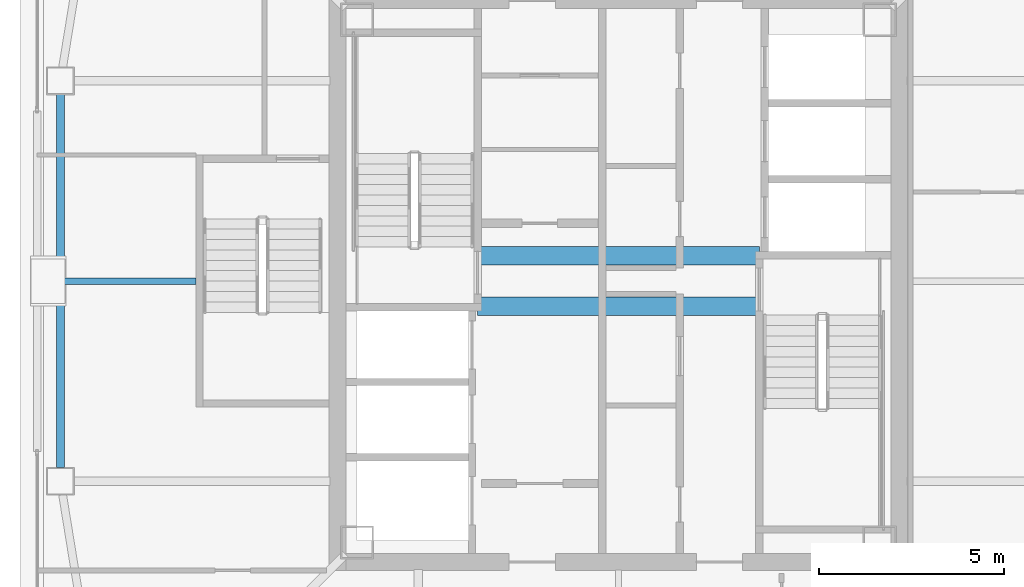
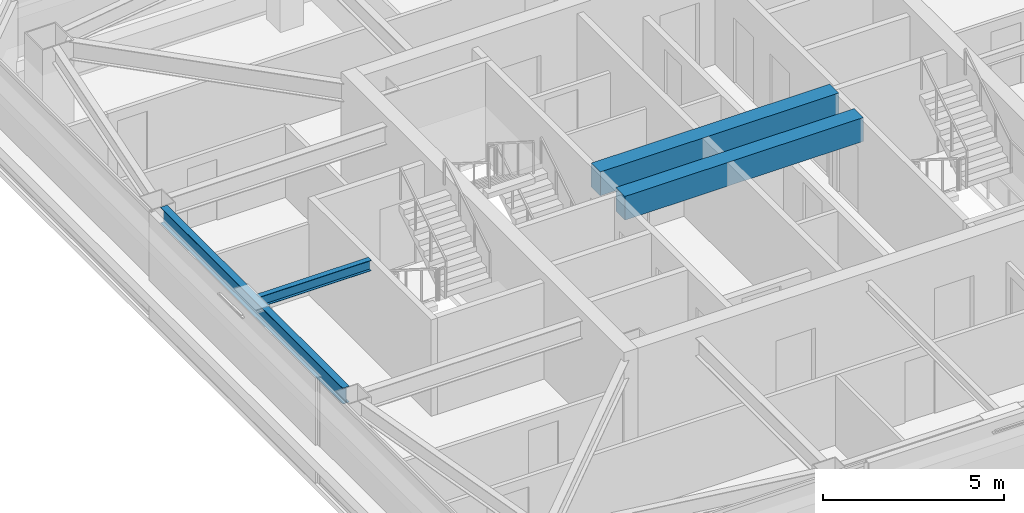
# One storey, part 9 of 39: 4 beams.
"""IFC4 building model written with IfcOpenShell, lengths in metres."""

from ifc_helpers import new_model, si_unit, direction, frame, origin, origin_2d, place, context, subcontext, project, spatial, rectangle, i_section, extrude, material, material_profile, profile_set, type_object, element, save


model = new_model("IFC4")

# Units and contexts
model_context = context("Model", 3, precision=1e-05, world=origin(), true_north=direction((0.0, 1.0)))
body_context = subcontext(model_context, "Body", "Model", "MODEL_VIEW")
ifc_project = project(units=[si_unit("LENGTHUNIT", "METRE"), si_unit("AREAUNIT", "SQUARE_METRE"), si_unit("VOLUMEUNIT", "CUBIC_METRE"), si_unit("PLANEANGLEUNIT", "RADIAN"), si_unit("MASSUNIT", "GRAM", prefix="KILO")], contexts=[model_context])

# Site, building, storey
site_placement = place(None, origin())
site = spatial("IfcSite", under=ifc_project, at=site_placement, CompositionType="ELEMENT")
building_placement = place(site_placement, origin())
building = spatial("IfcBuilding", under=site, at=building_placement, Name="Tashvorn Skyway Center", CompositionType="ELEMENT")
storey_placement = place(building_placement, frame((0.0, 0.0, 243.25)))
storey = spatial("IfcBuildingStorey", under=building, at=storey_placement, Name="L66", CompositionType="ELEMENT", Elevation=243.25)

# Beams
ifc_material_1 = material(Name="Steel ASTM A992 Grade 50", Category="steel")
ifc_material_profile_1 = material_profile(ifc_material_1, i_section(OverallWidth=0.1708984375, OverallDepth=0.35498046875, WebThickness=0.007080078125, FlangeThickness=0.01171875, at=origin_2d()), Name="W14X34")
ifc_profile_set_1 = profile_set([ifc_material_profile_1], Name="Steel ASTM A992 Grade 50")
beam_type_1 = type_object("IfcBeamType", Name="BM-JOIST-W14X34", PredefinedType="JOIST", material=ifc_profile_set_1)
beam_1_placement = place(storey_placement, frame((30.610107421875, 32.0, 3.072509765625), z_axis=(-1.0, 0.0, 0.0), x_axis=(0.0, -1.0, 0.0)))
element("IfcBeam", 1, at=beam_1_placement, inside=storey, type_object=beam_type_1, Name="Tower 1 L66 Secondary Composite Joist JW", PredefinedType="JOIST", context=body_context, shape_type="SweptSolid", body=[
    extrude(i_section(OverallWidth=0.1708984375, OverallDepth=0.35498046875, WebThickness=0.007080078125, FlangeThickness=0.01171875, at=origin_2d()), origin(), (0.0, 0.0, 1.0), 3.5625),
])
ifc_material_2 = material(Name="Concrete C50/60", Category="concrete")
ifc_material_profile_2 = material_profile(ifc_material_2, rectangle(XDim=0.5, YDim=0.800048828125, at=origin_2d()), Name="RCB500x800")
ifc_profile_set_2 = profile_set([ifc_material_profile_2], Name="Concrete C50/60")
beam_type_2 = type_object("IfcBeamType", Name="BM-LINTEL-RCB500x800", PredefinedType="LINTEL", material=ifc_profile_set_2)
for number, where, z_axis, x_axis, name in (
    (2, (38.199951171875, 32.679931640625, 2.85009765625), (1.0, 0.0, 0.0), (0.0, 1.0, 0.0), "Tower 1 L66 Core Coupling Beam CN"),
    (3, (38.199951171875, 31.320068359375, 2.85009765625), (1.0, 0.0, 0.0), (0.0, 1.0, 0.0), "Tower 1 L66 Core Coupling Beam CS"),
):
    element("IfcBeam", number, at=place(storey_placement, frame(where, z_axis=z_axis, x_axis=x_axis)), inside=storey, type_object=beam_type_2, Name=name, PredefinedType="LINTEL", context=body_context, shape_type="SweptSolid", body=[
        extrude(rectangle(XDim=0.5, YDim=0.800048828125, at=origin_2d()), origin(), (0.0, 0.0, 1.0), 7.60009765625),
    ])
ifc_material_profile_3 = material_profile(ifc_material_1, i_section(OverallWidth=0.2109375, OverallDepth=0.5390625, WebThickness=0.01171875, FlangeThickness=0.018798828125, at=origin_2d()), Name="W21X73")
ifc_profile_set_3 = profile_set([ifc_material_profile_3], Name="Steel ASTM A992 Grade 50")
beam_type_3 = type_object("IfcBeamType", Name="BM-SPANDREL-W21X73", PredefinedType="SPANDREL", material=ifc_profile_set_3)
beam_2_placement = place(storey_placement, frame((26.949951171875, 37.030029296875, 2.98046875), z_axis=(0.0, -1.0, 0.0), x_axis=(1.0, 0.0, 0.0)))
element("IfcBeam", 4, at=beam_2_placement, inside=storey, type_object=beam_type_3, Name="Tower 1 L66 Spandrel Beam 11", PredefinedType="SPANDREL", context=body_context, shape_type="SweptSolid", body=[
    extrude(i_section(OverallWidth=0.2109375, OverallDepth=0.5390625, WebThickness=0.01171875, FlangeThickness=0.018798828125, at=origin_2d()), origin(), (0.0, 0.0, 1.0), 10.06005859375),
])

save(model, "model.ifc")
